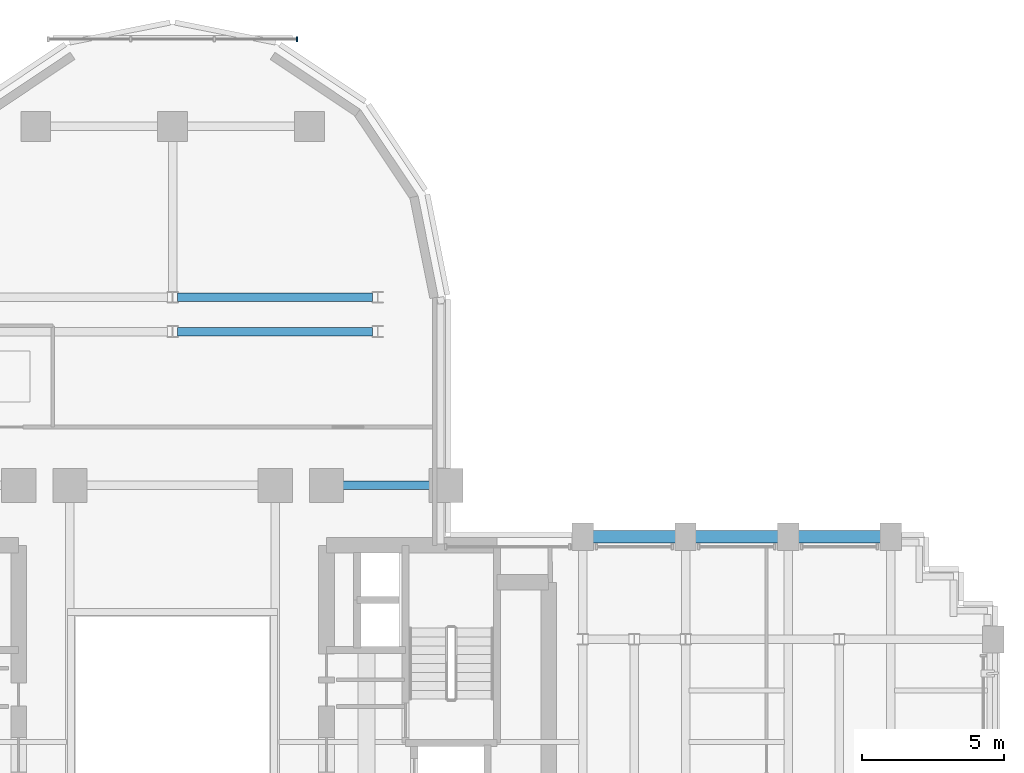
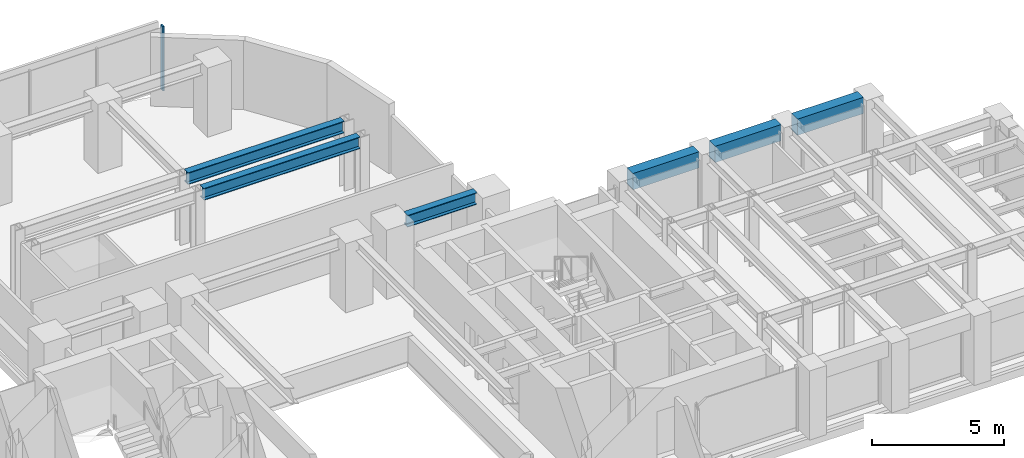
# One storey, part 8 of 16: 6 beams, 1 member, 1 element without a shape of its own.
"""IFC4 building model written with IfcOpenShell, lengths in metres."""

import ifcopenshell
import ifcopenshell.guid

model = None  # the IFC model being written
_history = None  # IfcOwnerHistory: only IFC2X3 demands one
_inside = {}  # id of a spatial element -> (the spatial element, [elements in it])
_under = {}  # id of a project, library or spatial element -> (it, [spatial elements below it])
_declared = {}  # id of a project -> (the project, [libraries it declares])
_typed = {}  # id of a type object -> (the type object, [elements of that type])
_made_of = {}  # id of a material, layer set ... -> (it, [elements and type objects made of it])


def new_model(schema):
    """Start an empty IFC model of exactly this schema.

    Asked for "IFC4X3", IfcOpenShell would pick the latest addendum, in which some entities
    have other attributes; the version numbers below select the first issue.
    IFC2X3 requires an IfcOwnerHistory on every rooted entity: one is made here for all.
    """
    global model, _history
    if schema == "IFC4X3":
        model = ifcopenshell.file(schema_version=(4, 3, 0, 0))
    else:
        model = ifcopenshell.file(schema=schema)
    _inside.clear()
    _under.clear()
    _declared.clear()
    _typed.clear()
    _made_of.clear()
    _history = None
    if model.schema == "IFC2X3":
        org = make("IfcOrganization", Name="unknown")
        user = make(
            "IfcPersonAndOrganization",
            ThePerson=make("IfcPerson", FamilyName="unknown"),
            TheOrganization=org,
        )
        app = make(
            "IfcApplication",
            ApplicationDeveloper=org,
            Version="unknown",
            ApplicationFullName="unknown",
            ApplicationIdentifier="unknown",
        )
        _history = make(
            "IfcOwnerHistory",
            OwningUser=user,
            OwningApplication=app,
            ChangeAction="ADDED",
            CreationDate=0,
        )
    return model


def make(cls, **values):
    """One entity of the class cls with the attributes given. An attribute that is None is left unset."""
    return model.create_entity(
        cls, **{name: value for name, value in values.items() if value is not None}
    )


def rooted(cls, **values):
    """An entity with a GlobalId (a new one), such as an element, a storey or a relation."""
    return make(cls, GlobalId=ifcopenshell.guid.new(), OwnerHistory=_history, **values)


def si_unit(unit_type, name, prefix=None):
    """IfcSIUnit, for example si_unit("LENGTHUNIT", "METRE", prefix="MILLI")."""
    return make("IfcSIUnit", UnitType=unit_type, Prefix=prefix, Name=name)


def assignment(units):
    """IfcUnitAssignment: the units of a project."""
    return None if units is None else make("IfcUnitAssignment", Units=units)


def point(xyz):
    """IfcCartesianPoint."""
    return None if xyz is None else make("IfcCartesianPoint", Coordinates=xyz)


def direction(xyz):
    """IfcDirection."""
    return None if xyz is None else make("IfcDirection", DirectionRatios=xyz)


def frame(location, z_axis=None, x_axis=None):
    """IfcAxis2Placement3D, a coordinate frame: its origin and axes. An axis left out is left unset."""
    return make(
        "IfcAxis2Placement3D",
        Location=point(location),
        Axis=direction(z_axis),
        RefDirection=direction(x_axis),
    )


def frame_2d(location, x_axis=None):
    """IfcAxis2Placement2D, a coordinate frame in the plane: its origin and x axis."""
    return make(
        "IfcAxis2Placement2D", Location=point(location), RefDirection=direction(x_axis)
    )


def origin():
    """The frame at (0, 0, 0) with its axes left unset."""
    return frame((0.0, 0.0, 0.0))


def origin_2d():
    """The frame at (0, 0) in the plane with its x axis left unset."""
    return frame_2d((0.0, 0.0))


def place(relative_to, where):
    """IfcLocalPlacement: puts the frame where relative to a parent placement (None: the world)."""
    return make(
        "IfcLocalPlacement", PlacementRelTo=relative_to, RelativePlacement=where
    )


def context(
    kind, dimensions, precision=None, world=None, true_north=None, identifier=None
):
    """IfcGeometricRepresentationContext, for example the 3D "Model" context."""
    return make(
        "IfcGeometricRepresentationContext",
        ContextIdentifier=identifier,
        ContextType=kind,
        CoordinateSpaceDimension=dimensions,
        Precision=precision,
        WorldCoordinateSystem=world,
        TrueNorth=true_north,
    )


def subcontext(parent, identifier, kind, view, scale=None):
    """IfcGeometricRepresentationSubContext, for example "Body" below "Model"."""
    return make(
        "IfcGeometricRepresentationSubContext",
        ContextIdentifier=identifier,
        ContextType=kind,
        ParentContext=parent,
        TargetScale=scale,
        TargetView=view,
    )


def project(units=None, contexts=None):
    """IfcProject with its units and contexts."""
    return rooted(
        "IfcProject",
        Name="project",
        RepresentationContexts=contexts,
        UnitsInContext=assignment(units),
    )


def spatial(cls, under=None, at=None, **own):
    """A site, building, storey or space (cls), placed at a placement, below another one or the project."""
    s = rooted(cls, ObjectPlacement=at, **own)
    if under is not None:
        _under.setdefault(under.id(), (under, []))[1].append(s)
    return s


def profile(cls, at=None, kind="AREA", **sizes):
    """A parametric profile (cls). Its sizes go by their IFC names, for example OverallWidth=200.0."""
    return make(cls, ProfileType=kind, Position=at, **sizes)


def rectangle(**sizes):
    """IfcRectangleProfileDef."""
    return profile("IfcRectangleProfileDef", **sizes)


def i_section(**sizes):
    """IfcIShapeProfileDef."""
    return profile("IfcIShapeProfileDef", **sizes)


def extrude(swept, where, along, depth):
    """IfcExtrudedAreaSolid: the profile swept, set in the frame where, extruded along a direction by depth."""
    return make(
        "IfcExtrudedAreaSolid",
        SweptArea=swept,
        Position=where,
        ExtrudedDirection=direction(along),
        Depth=depth,
    )


def shape(context_of_items, identifier, shape_type, items):
    """IfcShapeRepresentation: the items that make up one representation, for example the "Body"."""
    return make(
        "IfcShapeRepresentation",
        ContextOfItems=context_of_items,
        RepresentationIdentifier=identifier,
        RepresentationType=shape_type,
        Items=items,
    )


def source(mapping_origin, context_of_items, identifier, shape_type, items):
    """IfcRepresentationMap: a shape defined once, which mapped items show again and again."""
    return make(
        "IfcRepresentationMap",
        MappingOrigin=mapping_origin,
        MappedRepresentation=shape(context_of_items, identifier, shape_type, items),
    )


def transform(
    local_origin,
    x_axis=None,
    y_axis=None,
    z_axis=None,
    scale=None,
    scale2=None,
    scale3=None,
    uniform=True,
):
    """IfcCartesianTransformationOperator3D, or its non-uniform kind. x_axis, y_axis, z_axis: its Axis1, 2, 3."""
    if uniform:
        return make(
            "IfcCartesianTransformationOperator3D",
            Axis1=direction(x_axis),
            Axis2=direction(y_axis),
            LocalOrigin=point(local_origin),
            Scale=scale,
            Axis3=direction(z_axis),
        )
    return make(
        "IfcCartesianTransformationOperator3DnonUniform",
        Axis1=direction(x_axis),
        Axis2=direction(y_axis),
        LocalOrigin=point(local_origin),
        Scale=scale,
        Axis3=direction(z_axis),
        Scale2=scale2,
        Scale3=scale3,
    )


def mapped(mapping_source, mapping_target):
    """IfcMappedItem: shows the shape of a source again, moved by a transform."""
    return make(
        "IfcMappedItem", MappingSource=mapping_source, MappingTarget=mapping_target
    )


def material(Name=None, Category=None):
    """IfcMaterial."""
    return make("IfcMaterial", Name=Name, Category=Category)


def material_profile(
    of_material, cross_section, Name=None, Category=None, Priority=None
):
    """IfcMaterialProfile: a cross section and its material."""
    return make(
        "IfcMaterialProfile",
        Name=Name,
        Material=of_material,
        Profile=cross_section,
        Priority=Priority,
        Category=Category,
    )


def profile_set(profiles, Name=None, composite=None):
    """IfcMaterialProfileSet."""
    return make(
        "IfcMaterialProfileSet",
        Name=Name,
        MaterialProfiles=profiles,
        CompositeProfile=composite,
    )


def made_of(thing, what):
    """Note that an element or type object is made of a material, layer set ...; save() writes the relation."""
    if what is not None:
        _made_of.setdefault(what.id(), (what, []))[1].append(thing)
    return thing


def type_object(cls, material=None, **own):
    """A type object (cls), such as IfcWallType, which elements share."""
    return made_of(rooted(cls, **own), material)


def element(
    cls,
    number,
    at=None,
    inside=None,
    cuts=None,
    type_object=None,
    material=None,
    context=None,
    identifier="Body",
    shape_type=None,
    held_by="IfcProductDefinitionShape",
    body=None,
    shapes=None,
    **own,
):
    """One element of the class cls, such as IfcWall. Its Tag is "e" and its number.

    at: its placement. inside: the storey or other place that contains it. cuts: it is an
    opening in that element (IfcRelVoidsElement). A single representation is given by context,
    identifier, shape_type and body (its items); several are given by shapes. held_by: the class
    of the entity that holds the representations. save() writes the other relations.
    """
    e = rooted(cls, Tag="e%d" % number, ObjectPlacement=at, **own)
    if body is not None:
        shapes = [shape(context, identifier, shape_type, body)]
    if shapes is not None:
        e.Representation = make(held_by, Representations=shapes)
    if inside is not None:
        _inside.setdefault(inside.id(), (inside, []))[1].append(e)
    if cuts is not None:
        rooted(
            "IfcRelVoidsElement", RelatingBuildingElement=cuts, RelatedOpeningElement=e
        )
    if type_object is not None:
        _typed.setdefault(type_object.id(), (type_object, []))[1].append(e)
    return made_of(e, material)


def aggregate(whole, parts):
    """IfcRelAggregates: a whole, such as a stair, and the parts it consists of."""
    return rooted("IfcRelAggregates", RelatingObject=whole, RelatedObjects=parts)


def save(model, path):
    """Write the relations noted so far, then the file.

    IfcRelAggregates (storeys below a building ...), IfcRelContainedInSpatialStructure (elements
    in a storey), IfcRelDefinesByType, IfcRelAssociatesMaterial and IfcRelDeclares: one each for
    every whole, place, type object, material and project.
    """
    for whole, parts in _under.values():
        aggregate(whole, parts)
    for where, things in _inside.values():
        rooted(
            "IfcRelContainedInSpatialStructure",
            RelatedElements=things,
            RelatingStructure=where,
        )
    for kind, things in _typed.values():
        rooted("IfcRelDefinesByType", RelatedObjects=things, RelatingType=kind)
    for what, things in _made_of.values():
        rooted("IfcRelAssociatesMaterial", RelatedObjects=things, RelatingMaterial=what)
    for by, libraries in _declared.values():
        rooted("IfcRelDeclares", RelatingContext=by, RelatedDefinitions=libraries)
    model.write(path)


model = new_model("IFC4")

# Units and contexts
model_context = context("Model", 3, precision=1e-05, world=origin(), true_north=direction((0.0, 1.0)))
body_context = subcontext(model_context, "Body", "Model", "MODEL_VIEW")
ifc_project = project(units=[si_unit("LENGTHUNIT", "METRE"), si_unit("AREAUNIT", "SQUARE_METRE"), si_unit("VOLUMEUNIT", "CUBIC_METRE"), si_unit("PLANEANGLEUNIT", "RADIAN"), si_unit("MASSUNIT", "GRAM", prefix="KILO")], contexts=[model_context])

# Site, building, storey
site_placement = place(None, origin())
site = spatial("IfcSite", under=ifc_project, at=site_placement, CompositionType="ELEMENT")
building_placement = place(site_placement, origin())
building = spatial("IfcBuilding", under=site, at=building_placement, Name="Keilestroom Media Tower", CompositionType="ELEMENT")
storey_placement = place(building_placement, frame((0.0, 0.0, 51.0)))
storey = spatial("IfcBuildingStorey", under=building, at=storey_placement, Name="L12", CompositionType="ELEMENT", Elevation=51.0)

# Beams
ifc_material_1 = material(Name="Steel S355", Category="steel")
ifc_material_profile_1 = material_profile(ifc_material_1, i_section(OverallWidth=0.300048828125, OverallDepth=0.550048828125, WebThickness=0.012939453125, FlangeThickness=0.029052734375, at=origin_2d()), Name="HEB 550")
ifc_profile_set_1 = profile_set([ifc_material_profile_1], Name="Steel S355")
beam_type_1 = type_object("IfcBeamType", Name="Primary-Structural-Girder-HEB-550", PredefinedType="BEAM", material=ifc_profile_set_1)
shared_shape_1 = source(origin(), body_context, "Body", "SweptSolid", [
    extrude(i_section(OverallWidth=0.300048828125, OverallDepth=0.550048828125, WebThickness=0.012939453125, FlangeThickness=0.029052734375, at=origin_2d()), origin(), (0.0, 0.0, 1.0), 6.836181640625),
])
for number, where, z_axis, x_axis, name in (
    (1, (0.181884765625, 14.39990234375, 2.925048828125), (1.0, 0.0, 0.0), (0.0, 1.0, 0.0), "L12 Beam BG-5 BM-L12-EW-046"),
    (2, (0.181884765625, 15.60009765625, 2.925048828125), (1.0, 0.0, 0.0), (0.0, 1.0, 0.0), "L12 Beam BG-5 BM-L12-EW-048"),
):
    element("IfcBeam", number, at=place(storey_placement, frame(where, z_axis=z_axis, x_axis=x_axis)), inside=storey, type_object=beam_type_1, Name=name, PredefinedType="BEAM", context=body_context, shape_type="MappedRepresentation", body=[
        mapped(shared_shape_1, transform((0.0, 0.0, 0.0), x_axis=(1.0, 0.0, 0.0), y_axis=(0.0, 1.0, 0.0), z_axis=(0.0, 0.0, 1.0), scale=1.0)),
    ])
shared_shape_2 = source(origin(), body_context, "Body", "SweptSolid", [
    extrude(i_section(OverallWidth=0.300048828125, OverallDepth=0.550048828125, WebThickness=0.012939453125, FlangeThickness=0.029052734375, at=origin_2d()), origin(), (0.0, 0.0, 1.0), 3.0400390625),
])
beam_1_placement = place(storey_placement, frame((5.97998046875, 9.0, 2.925048828125), z_axis=(1.0, 0.0, 0.0), x_axis=(0.0, 1.0, 0.0)))
element("IfcBeam", 3, at=beam_1_placement, inside=storey, type_object=beam_type_1, Name="L12 Beam BG-5 BM-L12-EW-044", PredefinedType="BEAM", context=body_context, shape_type="MappedRepresentation", body=[
    mapped(shared_shape_2, transform((0.0, 0.0, 0.0), x_axis=(1.0, 0.0, 0.0), y_axis=(0.0, 1.0, 0.0), z_axis=(0.0, 0.0, 1.0), scale=1.0)),
])
ifc_material_2 = material(Name="Precast concrete C40/50", Category="concrete")
ifc_material_profile_2 = material_profile(ifc_material_2, rectangle(XDim=0.449951171875, YDim=0.75, at=origin_2d()), Name="PC 450x750")
ifc_profile_set_2 = profile_set([ifc_material_profile_2], Name="Precast concrete C40/50")
beam_type_2 = type_object("IfcBeamType", Name="Perimeter-Spandrel-Beam-PC-450x750", PredefinedType="SPANDREL", material=ifc_profile_set_2)
shared_shape_3 = source(origin(), body_context, "Body", "SweptSolid", [
    extrude(rectangle(XDim=0.449951171875, YDim=0.75, at=origin_2d()), origin(), (0.0, 0.0, 1.0), 2.889892578125),
])
beam_2_placement = place(storey_placement, frame((21.955078125, 7.199951171875, 2.824951171875), z_axis=(1.0, 0.0, 0.0), x_axis=(0.0, 1.0, 0.0)))
element("IfcBeam", 4, at=beam_2_placement, inside=storey, type_object=beam_type_2, Name="L12 Beam SPB-1 BM-L12-EW-039", PredefinedType="SPANDREL", context=body_context, shape_type="MappedRepresentation", body=[
    mapped(shared_shape_3, transform((0.0, 0.0, 0.0), x_axis=(1.0, 0.0, 0.0), y_axis=(0.0, 1.0, 0.0), z_axis=(0.0, 0.0, 1.0), scale=1.0)),
])
shared_shape_4 = source(origin(), body_context, "Body", "SweptSolid", [
    extrude(rectangle(XDim=0.449951171875, YDim=0.75, at=origin_2d()), origin(), (0.0, 0.0, 1.0), 2.89013671875),
])
for number, where, z_axis, x_axis, name in (
    (5, (14.7548828125, 7.199951171875, 2.824951171875), (1.0, 0.0, 0.0), (0.0, 1.0, 0.0), "L12 Beam SPB-1 BM-L12-EW-037"),
    (6, (18.35498046875, 7.199951171875, 2.824951171875), (1.0, 0.0, 0.0), (0.0, 1.0, 0.0), "L12 Beam SPB-1 BM-L12-EW-038"),
):
    element("IfcBeam", number, at=place(storey_placement, frame(where, z_axis=z_axis, x_axis=x_axis)), inside=storey, type_object=beam_type_2, Name=name, PredefinedType="SPANDREL", context=body_context, shape_type="MappedRepresentation", body=[
        mapped(shared_shape_4, transform((0.0, 0.0, 0.0), x_axis=(1.0, 0.0, 0.0), y_axis=(0.0, 1.0, 0.0), z_axis=(0.0, 0.0, 1.0), scale=1.0)),
    ])

# Curtain wall, member
ifc_material_3 = material(Name="Anodised Aluminium Alloy", Category="aluminium")
curtain_wall_type = type_object("IfcCurtainWallType", Name="Unitised-Curtain-Wall-CW-6", PredefinedType="NOTDEFINED", material=ifc_material_3)
curtain_wall_placement = place(storey_placement, origin())
curtain_wall = element("IfcCurtainWall", 7, at=curtain_wall_placement, inside=storey, type_object=curtain_wall_type, Name="L12 Curtain Wall CW-6 CW-L12-LN-1", PredefinedType="NOTDEFINED")
ifc_material_profile_3 = material_profile(ifc_material_3, rectangle(XDim=0.06494140625, YDim=0.179931640625, at=origin_2d()), Name="ALU MULLION 65x180")
ifc_profile_set_3 = profile_set([ifc_material_profile_3], Name="Anodised Aluminium Alloy")
member_type = type_object("IfcMemberType", Name="Curtain-Wall-Mullion-CW-6", PredefinedType="MULLION", material=ifc_profile_set_3)
shared_shape_5 = source(origin(), body_context, "Body", "SweptSolid", [
    extrude(rectangle(XDim=0.06494140625, YDim=0.179931640625, at=origin_2d()), origin(), (0.0, 0.0, 1.0), 2.97998046875),
])
member_placement = place(storey_placement, frame((4.367431640625, 24.64990234375, 0.0), z_axis=(0.0, 0.0, 1.0), x_axis=(1.0, 0.0, 0.0)))
member = element("IfcMember", 8, at=member_placement, type_object=member_type, Name="CW-6 Mullion 03", PredefinedType="MULLION", context=body_context, shape_type="MappedRepresentation", body=[
    mapped(shared_shape_5, transform((0.0, 0.0, 0.0), x_axis=(1.0, 0.0, 0.0), y_axis=(0.0, 1.0, 0.0), z_axis=(0.0, 0.0, 1.0), scale=1.0)),
])
aggregate(curtain_wall, [member])

save(model, "model.ifc")
